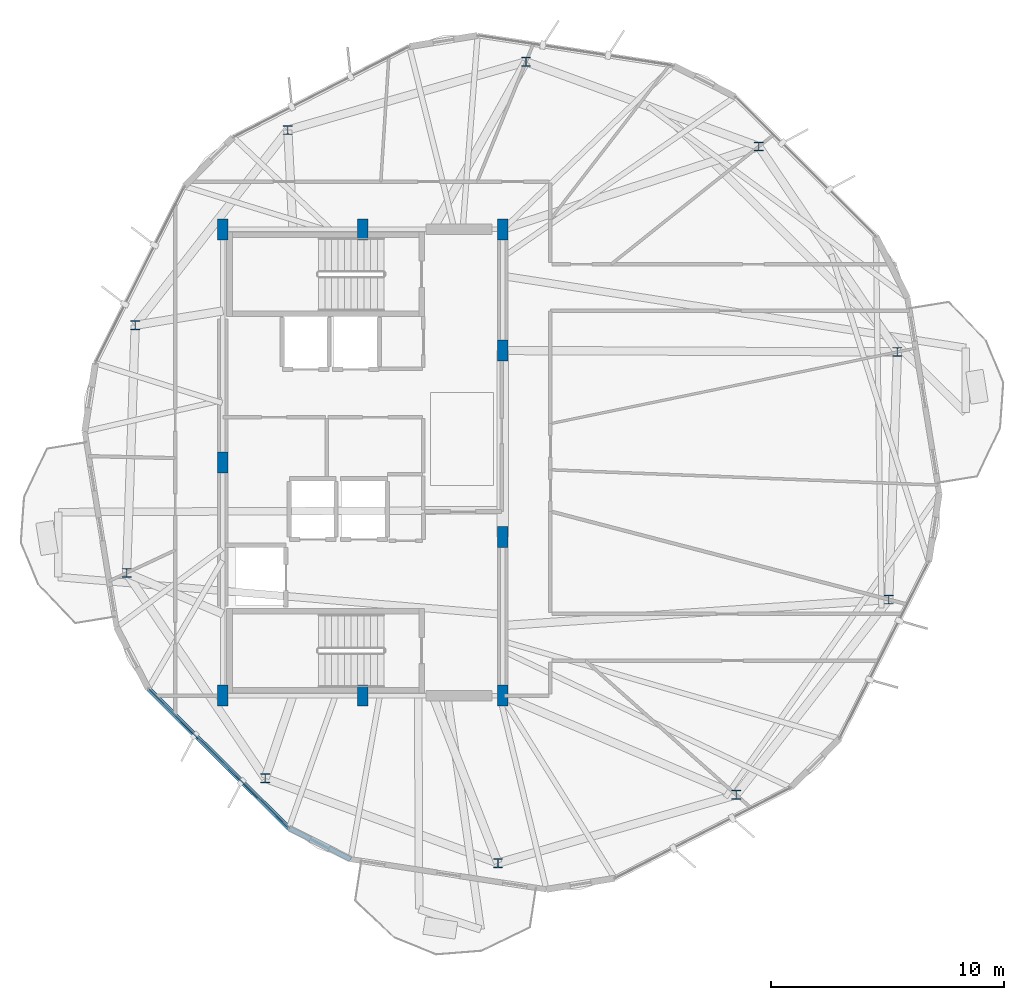
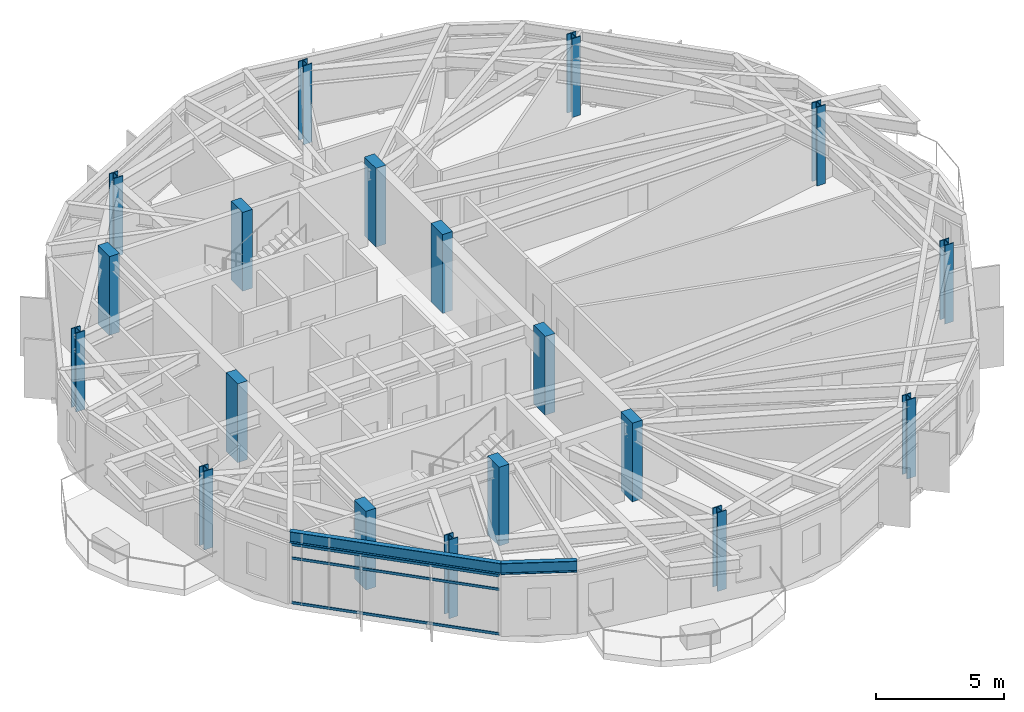
# One storey, part 1 of 22: 19 columns, 3 members, 2 beams, 1 element without a shape of its own.
"""IFC4 building model written with IfcOpenShell, lengths in metres."""

from ifc_helpers import new_model, si_unit, direction, frame, origin, origin_2d, place, context, subcontext, project, spatial, rectangle, hollow_rectangle, i_section, extrude, material, layer, layer_set, material_profile, profile_set, type_object, element, aggregate, save


model = new_model("IFC4")

# Units and contexts
model_context = context("Model", 3, precision=1e-05, world=origin(), true_north=direction((0.0, 1.0)))
body_context = subcontext(model_context, "Body", "Model", "MODEL_VIEW")
ifc_project = project(units=[si_unit("LENGTHUNIT", "METRE"), si_unit("AREAUNIT", "SQUARE_METRE"), si_unit("VOLUMEUNIT", "CUBIC_METRE"), si_unit("PLANEANGLEUNIT", "RADIAN"), si_unit("MASSUNIT", "GRAM", prefix="KILO")], contexts=[model_context])

# Site, building, storey
site_placement = place(None, origin())
site = spatial("IfcSite", under=ifc_project, at=site_placement, CompositionType="ELEMENT")
building_placement = place(site_placement, origin())
building = spatial("IfcBuilding", under=site, at=building_placement, Name="Soratama Intermodal Tower", CompositionType="ELEMENT")
storey_placement = place(building_placement, frame((0.0, 0.0, 265.0)))
storey = spatial("IfcBuildingStorey", under=building, at=storey_placement, Name="L67", CompositionType="ELEMENT", Elevation=265.0)

# Columns
ifc_material_1 = material(Name="Structural steel ASTM A992 Grade 50", Category="steel")
ifc_material_profile_1 = material_profile(ifc_material_1, i_section(OverallWidth=0.40087890625, OverallDepth=0.39892578125, WebThickness=0.02490234375, FlangeThickness=0.03955078125, FilletRadius=0.0380859375, at=origin_2d()), Name="W14X211")
ifc_profile_set_1 = profile_set([ifc_material_profile_1], Name="Structural steel ASTM A992 Grade 50")
column_type_1 = type_object("IfcColumnType", Name="COL-ZE-W14X211", PredefinedType="COLUMN", material=ifc_profile_set_1)
for number, where, z_axis, x_axis, name in (
    (1, (61.53369140625, 29.740966796875, 0.0), (0.0, 0.0, 1.0), (1.0, 0.0, 0.0), "L67 Tower Ring Column R01"),
    (2, (55.58935546875, 38.5537109375, 0.0), (0.0, 0.0, 1.0), (1.0, 0.0, 0.0), "L67 Tower Ring Column R02"),
    (3, (45.600341796875, 42.189453125, 0.0), (0.0, 0.0, 1.0), (1.0, 0.0, 0.0), "L67 Tower Ring Column R03"),
    (4, (35.3818359375, 39.259521484375, 0.0), (0.0, 0.0, 1.0), (1.0, 0.0, 0.0), "L67 Tower Ring Column R04"),
    (5, (28.83740234375, 30.8828125, 0.0), (0.0, 0.0, 1.0), (1.0, 0.0, 0.0), "L67 Tower Ring Column R05"),
    (6, (28.46630859375, 20.259033203125, 0.0), (0.0, 0.0, 1.0), (1.0, 0.0, 0.0), "L67 Tower Ring Column R06"),
    (7, (34.41064453125, 11.4462890625, 0.0), (0.0, 0.0, 1.0), (1.0, 0.0, 0.0), "L67 Tower Ring Column R07"),
    (8, (44.399658203125, 7.810546875, 0.0), (0.0, 0.0, 1.0), (1.0, 0.0, 0.0), "L67 Tower Ring Column R08"),
    (9, (54.6181640625, 10.740478515625, 0.0), (0.0, 0.0, 1.0), (1.0, 0.0, 0.0), "L67 Tower Ring Column R09"),
    (10, (61.16259765625, 19.1171875, 0.0), (0.0, 0.0, 1.0), (1.0, 0.0, 0.0), "L67 Tower Ring Column R10"),
):
    element("IfcColumn", number, at=place(storey_placement, frame(where, z_axis=z_axis, x_axis=x_axis)), inside=storey, type_object=column_type_1, Name=name, PredefinedType="COLUMN", context=body_context, shape_type="SweptSolid", body=[
        extrude(i_section(OverallWidth=0.40087890625, OverallDepth=0.39892578125, WebThickness=0.02490234375, FlangeThickness=0.03955078125, FilletRadius=0.0380859375, at=origin_2d()), origin(), (0.0, 0.0, 1.0), 3.75),
    ])
ifc_material_2 = material(Name="Concrete f'c 56 MPa", Category="concrete")
ifc_material_profile_2 = material_profile(ifc_material_2, rectangle(XDim=0.449951171875, YDim=0.89990234375, at=origin_2d()), Name="RC450X900")
ifc_profile_set_2 = profile_set([ifc_material_profile_2], Name="Concrete f'c 56 MPa")
column_type_2 = type_object("IfcColumnType", Name="PIL-CORE-450X900", PredefinedType="PILASTER", material=ifc_profile_set_2)
for number, where, z_axis, x_axis, name in (
    (11, (32.60009765625, 15.0, 0.0), (0.0, 0.0, 1.0), (1.0, 0.0, 0.0), "L67 Core Pilaster 1"),
    (12, (32.60009765625, 25.0, 0.0), (0.0, 0.0, 1.0), (1.0, 0.0, 0.0), "L67 Core Pilaster 2"),
    (13, (32.60009765625, 35.0, 0.0), (0.0, 0.0, 1.0), (1.0, 0.0, 0.0), "L67 Core Pilaster 3"),
    (14, (38.60009765625, 15.0, 0.0), (0.0, 0.0, 1.0), (1.0, 0.0, 0.0), "L67 Core Pilaster 4"),
    (15, (38.60009765625, 35.0, 0.0), (0.0, 0.0, 1.0), (1.0, 0.0, 0.0), "L67 Core Pilaster 5"),
    (16, (44.60009765625, 15.0, 0.0), (0.0, 0.0, 1.0), (1.0, 0.0, 0.0), "L67 Core Pilaster 6"),
    (17, (44.60009765625, 21.800048828125, 0.0), (0.0, 0.0, 1.0), (1.0, 0.0, 0.0), "L67 Core Pilaster 7"),
    (18, (44.60009765625, 29.800048828125, 0.0), (0.0, 0.0, 1.0), (1.0, 0.0, 0.0), "L67 Core Pilaster 8"),
    (19, (44.60009765625, 35.0, 0.0), (0.0, 0.0, 1.0), (1.0, 0.0, 0.0), "L67 Core Pilaster 9"),
):
    element("IfcColumn", number, at=place(storey_placement, frame(where, z_axis=z_axis, x_axis=x_axis)), inside=storey, type_object=column_type_2, Name=name, PredefinedType="PILASTER", context=body_context, shape_type="SweptSolid", body=[
        extrude(rectangle(XDim=0.449951171875, YDim=0.89990234375, at=origin_2d()), origin(), (0.0, 0.0, 1.0), 3.75),
    ])

# Beams
ifc_material_3 = material(Name="Structural steel ASTM A992 Grade 50", Category="steel")
ifc_material_profile_3 = material_profile(ifc_material_3, i_section(OverallWidth=0.2099609375, OverallDepth=0.537109375, WebThickness=0.010986328125, FlangeThickness=0.017333984375, FilletRadius=0.012939453125, at=origin_2d()), Name="W21X68")
ifc_profile_set_3 = profile_set([ifc_material_profile_3], Name="Structural steel ASTM A992 Grade 50")
beam_type = type_object("IfcBeamType", Name="BM-SPN-W21X68", PredefinedType="SPANDREL", material=ifc_profile_set_3)
beam_1_placement = place(storey_placement, frame((29.39208984375, 15.297119140625, 3.181396484375), z_axis=(0.710087532745, -0.704113411206, 0.0), x_axis=(0.704113411206, 0.710087532745, 0.0)))
element("IfcBeam", 20, at=beam_1_placement, inside=storey, type_object=beam_type, Name="BS-L67-F05", PredefinedType="SPANDREL", context=body_context, shape_type="SweptSolid", body=[
    extrude(i_section(OverallWidth=0.2099609375, OverallDepth=0.537109375, WebThickness=0.010986328125, FlangeThickness=0.017333984375, FilletRadius=0.012939453125, at=origin_2d()), origin(), (0.0, 0.0, 1.0), 8.500244140625),
])
beam_2_placement = place(storey_placement, frame((35.427978515625, 9.31201171875, 3.181396484375), z_axis=(0.892874737979, -0.450305121311, 0.0), x_axis=(0.450305121311, 0.892874737979, 0.0)))
element("IfcBeam", 21, at=beam_2_placement, inside=storey, type_object=beam_type, Name="BS-L67-CRN05", PredefinedType="SPANDREL", context=body_context, shape_type="SweptSolid", body=[
    extrude(i_section(OverallWidth=0.2099609375, OverallDepth=0.537109375, WebThickness=0.010986328125, FlangeThickness=0.017333984375, FilletRadius=0.012939453125, at=origin_2d()), origin(), (0.0, 0.0, 1.0), 2.966796875),
])

# Curtain wall, members
ifc_material_4 = material(Name="Double-glazed aluminium curtain wall", Category="aluminium")
ifc_layer = layer(ifc_material_4, 0.159912109375)
ifc_layer_set = layer_set([ifc_layer], Name="Double-glazed aluminium curtain wall")
curtain_wall_type = type_object("IfcCurtainWallType", Name="CW-SYS-5", PredefinedType="NOTDEFINED", material=ifc_layer_set)
curtain_wall_placement = place(storey_placement, origin())
curtain_wall = element("IfcCurtainWall", 22, at=curtain_wall_placement, inside=storey, type_object=curtain_wall_type, Name="L67 Faceted Curtain Wall F05", PredefinedType="NOTDEFINED")
ifc_material_5 = material(Name="Anodised aluminium AA 6063-T6", Category="aluminium")
ifc_material_profile_4 = material_profile(ifc_material_5, hollow_rectangle(XDim=0.06005859375, YDim=0.1298828125, WallThickness=0.0048828125, InnerFilletRadius=0.0048828125, OuterFilletRadius=0.010009765625, at=origin_2d()), Name="CWT130X60X5")
ifc_profile_set_4 = profile_set([ifc_material_profile_4], Name="Anodised aluminium AA 6063-T6")
member_type = type_object("IfcMemberType", Name="TT-CWT-2", PredefinedType="USERDEFINED", material=ifc_profile_set_4)
member_1_placement = place(storey_placement, frame((29.43505859375, 15.25439453125, 0.030029296875), z_axis=(0.710072281656, -0.704128791361, 0.0), x_axis=(0.704128791361, 0.710072281656, 0.0)))
member_1 = element("IfcMember", 23, at=member_1_placement, type_object=member_type, Name="CW-5 transom 1.1", ObjectType="TRANSOM", PredefinedType="USERDEFINED", context=body_context, shape_type="SweptSolid", body=[
    extrude(hollow_rectangle(XDim=0.06005859375, YDim=0.1298828125, WallThickness=0.0048828125, InnerFilletRadius=0.0048828125, OuterFilletRadius=0.010009765625, at=origin_2d()), origin(), (0.0, 0.0, 1.0), 8.379638671875),
])
member_2_placement = place(storey_placement, frame((29.43505859375, 15.25439453125, 2.14990234375), z_axis=(0.710072281656, -0.704128791361, 0.0), x_axis=(0.704128791361, 0.710072281656, 0.0)))
member_2 = element("IfcMember", 24, at=member_2_placement, type_object=member_type, Name="CW-5 transom 1.2", ObjectType="TRANSOM", PredefinedType="USERDEFINED", context=body_context, shape_type="SweptSolid", body=[
    extrude(hollow_rectangle(XDim=0.06005859375, YDim=0.1298828125, WallThickness=0.0048828125, InnerFilletRadius=0.0048828125, OuterFilletRadius=0.010009765625, at=origin_2d()), origin(), (0.0, 0.0, 1.0), 8.379638671875),
])
member_3_placement = place(storey_placement, frame((29.43505859375, 15.25439453125, 2.799072265625), z_axis=(0.710072281656, -0.704128791361, 0.0), x_axis=(0.704128791361, 0.710072281656, 0.0)))
member_3 = element("IfcMember", 25, at=member_3_placement, type_object=member_type, Name="CW-5 transom 1.3", ObjectType="TRANSOM", PredefinedType="USERDEFINED", context=body_context, shape_type="SweptSolid", body=[
    extrude(hollow_rectangle(XDim=0.06005859375, YDim=0.1298828125, WallThickness=0.0048828125, InnerFilletRadius=0.0048828125, OuterFilletRadius=0.010009765625, at=origin_2d()), origin(), (0.0, 0.0, 1.0), 8.379638671875),
])
aggregate(curtain_wall, [member_1, member_2, member_3])

save(model, "model.ifc")
